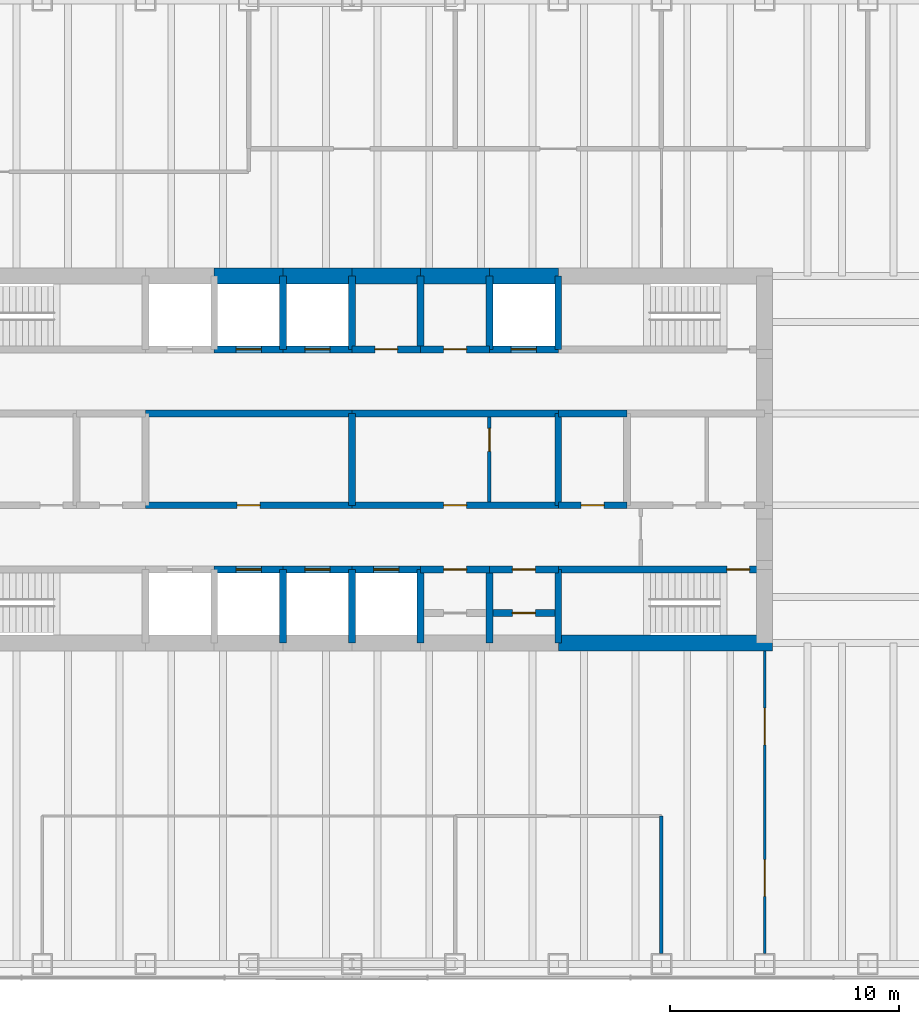
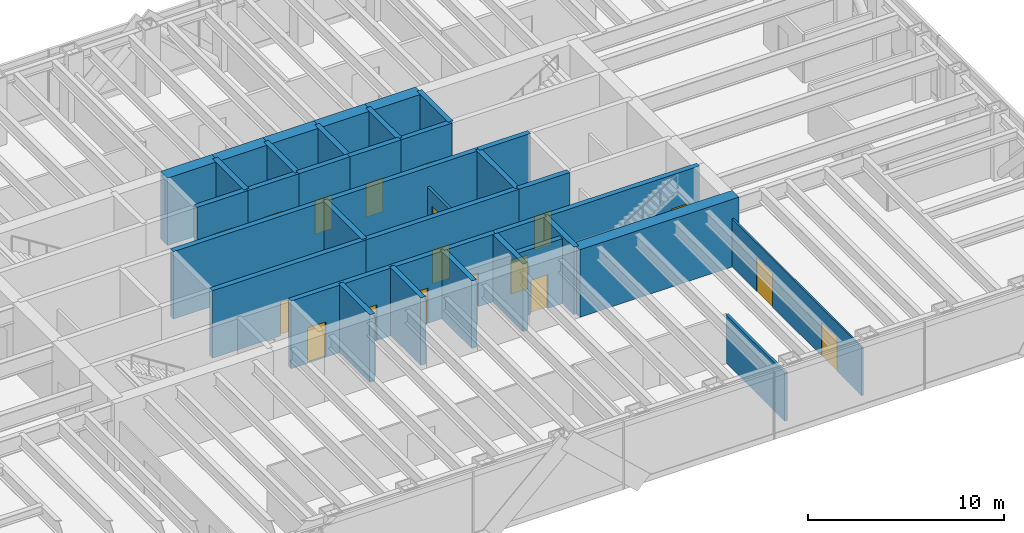
# One storey, part 14 of 17: 39 walls, 18 doors, 18 openings.
"""IFC4 building model written with IfcOpenShell, lengths in metres."""

import ifcopenshell
import ifcopenshell.guid

model = None  # the IFC model being written
_history = None  # IfcOwnerHistory: only IFC2X3 demands one
_inside = {}  # id of a spatial element -> (the spatial element, [elements in it])
_under = {}  # id of a project, library or spatial element -> (it, [spatial elements below it])
_declared = {}  # id of a project -> (the project, [libraries it declares])
_typed = {}  # id of a type object -> (the type object, [elements of that type])
_made_of = {}  # id of a material, layer set ... -> (it, [elements and type objects made of it])


def new_model(schema):
    """Start an empty IFC model of exactly this schema.

    Asked for "IFC4X3", IfcOpenShell would pick the latest addendum, in which some entities
    have other attributes; the version numbers below select the first issue.
    IFC2X3 requires an IfcOwnerHistory on every rooted entity: one is made here for all.
    """
    global model, _history
    if schema == "IFC4X3":
        model = ifcopenshell.file(schema_version=(4, 3, 0, 0))
    else:
        model = ifcopenshell.file(schema=schema)
    _inside.clear()
    _under.clear()
    _declared.clear()
    _typed.clear()
    _made_of.clear()
    _history = None
    if model.schema == "IFC2X3":
        org = make("IfcOrganization", Name="unknown")
        user = make(
            "IfcPersonAndOrganization",
            ThePerson=make("IfcPerson", FamilyName="unknown"),
            TheOrganization=org,
        )
        app = make(
            "IfcApplication",
            ApplicationDeveloper=org,
            Version="unknown",
            ApplicationFullName="unknown",
            ApplicationIdentifier="unknown",
        )
        _history = make(
            "IfcOwnerHistory",
            OwningUser=user,
            OwningApplication=app,
            ChangeAction="ADDED",
            CreationDate=0,
        )
    return model


def make(cls, **values):
    """One entity of the class cls with the attributes given. An attribute that is None is left unset."""
    return model.create_entity(
        cls, **{name: value for name, value in values.items() if value is not None}
    )


def rooted(cls, **values):
    """An entity with a GlobalId (a new one), such as an element, a storey or a relation."""
    return make(cls, GlobalId=ifcopenshell.guid.new(), OwnerHistory=_history, **values)


def si_unit(unit_type, name, prefix=None):
    """IfcSIUnit, for example si_unit("LENGTHUNIT", "METRE", prefix="MILLI")."""
    return make("IfcSIUnit", UnitType=unit_type, Prefix=prefix, Name=name)


def assignment(units):
    """IfcUnitAssignment: the units of a project."""
    return None if units is None else make("IfcUnitAssignment", Units=units)


def point(xyz):
    """IfcCartesianPoint."""
    return None if xyz is None else make("IfcCartesianPoint", Coordinates=xyz)


def direction(xyz):
    """IfcDirection."""
    return None if xyz is None else make("IfcDirection", DirectionRatios=xyz)


def frame(location, z_axis=None, x_axis=None):
    """IfcAxis2Placement3D, a coordinate frame: its origin and axes. An axis left out is left unset."""
    return make(
        "IfcAxis2Placement3D",
        Location=point(location),
        Axis=direction(z_axis),
        RefDirection=direction(x_axis),
    )


def frame_2d(location, x_axis=None):
    """IfcAxis2Placement2D, a coordinate frame in the plane: its origin and x axis."""
    return make(
        "IfcAxis2Placement2D", Location=point(location), RefDirection=direction(x_axis)
    )


def origin():
    """The frame at (0, 0, 0) with its axes left unset."""
    return frame((0.0, 0.0, 0.0))


def place(relative_to, where):
    """IfcLocalPlacement: puts the frame where relative to a parent placement (None: the world)."""
    return make(
        "IfcLocalPlacement", PlacementRelTo=relative_to, RelativePlacement=where
    )


def context(
    kind, dimensions, precision=None, world=None, true_north=None, identifier=None
):
    """IfcGeometricRepresentationContext, for example the 3D "Model" context."""
    return make(
        "IfcGeometricRepresentationContext",
        ContextIdentifier=identifier,
        ContextType=kind,
        CoordinateSpaceDimension=dimensions,
        Precision=precision,
        WorldCoordinateSystem=world,
        TrueNorth=true_north,
    )


def subcontext(parent, identifier, kind, view, scale=None):
    """IfcGeometricRepresentationSubContext, for example "Body" below "Model"."""
    return make(
        "IfcGeometricRepresentationSubContext",
        ContextIdentifier=identifier,
        ContextType=kind,
        ParentContext=parent,
        TargetScale=scale,
        TargetView=view,
    )


def project(units=None, contexts=None):
    """IfcProject with its units and contexts."""
    return rooted(
        "IfcProject",
        Name="project",
        RepresentationContexts=contexts,
        UnitsInContext=assignment(units),
    )


def spatial(cls, under=None, at=None, **own):
    """A site, building, storey or space (cls), placed at a placement, below another one or the project."""
    s = rooted(cls, ObjectPlacement=at, **own)
    if under is not None:
        _under.setdefault(under.id(), (under, []))[1].append(s)
    return s


def profile(cls, at=None, kind="AREA", **sizes):
    """A parametric profile (cls). Its sizes go by their IFC names, for example OverallWidth=200.0."""
    return make(cls, ProfileType=kind, Position=at, **sizes)


def rectangle(**sizes):
    """IfcRectangleProfileDef."""
    return profile("IfcRectangleProfileDef", **sizes)


def extrude(swept, where, along, depth):
    """IfcExtrudedAreaSolid: the profile swept, set in the frame where, extruded along a direction by depth."""
    return make(
        "IfcExtrudedAreaSolid",
        SweptArea=swept,
        Position=where,
        ExtrudedDirection=direction(along),
        Depth=depth,
    )


def shape(context_of_items, identifier, shape_type, items):
    """IfcShapeRepresentation: the items that make up one representation, for example the "Body"."""
    return make(
        "IfcShapeRepresentation",
        ContextOfItems=context_of_items,
        RepresentationIdentifier=identifier,
        RepresentationType=shape_type,
        Items=items,
    )


def material(Name=None, Category=None):
    """IfcMaterial."""
    return make("IfcMaterial", Name=Name, Category=Category)


def layer(
    of_material, thickness, ventilated=None, Name=None, Category=None, Priority=None
):
    """IfcMaterialLayer: one layer of a wall or slab, of a material (None: an air gap)."""
    return make(
        "IfcMaterialLayer",
        Material=of_material,
        LayerThickness=thickness,
        IsVentilated=ventilated,
        Name=Name,
        Category=Category,
        Priority=Priority,
    )


def layer_set(layers, Name=None):
    """IfcMaterialLayerSet."""
    return make("IfcMaterialLayerSet", MaterialLayers=layers, LayerSetName=Name)


def made_of(thing, what):
    """Note that an element or type object is made of a material, layer set ...; save() writes the relation."""
    if what is not None:
        _made_of.setdefault(what.id(), (what, []))[1].append(thing)
    return thing


def type_object(cls, material=None, **own):
    """A type object (cls), such as IfcWallType, which elements share."""
    return made_of(rooted(cls, **own), material)


def element(
    cls,
    number,
    at=None,
    inside=None,
    cuts=None,
    type_object=None,
    material=None,
    context=None,
    identifier="Body",
    shape_type=None,
    held_by="IfcProductDefinitionShape",
    body=None,
    shapes=None,
    **own,
):
    """One element of the class cls, such as IfcWall. Its Tag is "e" and its number.

    at: its placement. inside: the storey or other place that contains it. cuts: it is an
    opening in that element (IfcRelVoidsElement). A single representation is given by context,
    identifier, shape_type and body (its items); several are given by shapes. held_by: the class
    of the entity that holds the representations. save() writes the other relations.
    """
    e = rooted(cls, Tag="e%d" % number, ObjectPlacement=at, **own)
    if body is not None:
        shapes = [shape(context, identifier, shape_type, body)]
    if shapes is not None:
        e.Representation = make(held_by, Representations=shapes)
    if inside is not None:
        _inside.setdefault(inside.id(), (inside, []))[1].append(e)
    if cuts is not None:
        rooted(
            "IfcRelVoidsElement", RelatingBuildingElement=cuts, RelatedOpeningElement=e
        )
    if type_object is not None:
        _typed.setdefault(type_object.id(), (type_object, []))[1].append(e)
    return made_of(e, material)


def fill(opening, filler):
    """IfcRelFillsElement: the door or window that sits in an opening."""
    return rooted(
        "IfcRelFillsElement",
        RelatingOpeningElement=opening,
        RelatedBuildingElement=filler,
    )


def aggregate(whole, parts):
    """IfcRelAggregates: a whole, such as a stair, and the parts it consists of."""
    return rooted("IfcRelAggregates", RelatingObject=whole, RelatedObjects=parts)


def save(model, path):
    """Write the relations noted so far, then the file.

    IfcRelAggregates (storeys below a building ...), IfcRelContainedInSpatialStructure (elements
    in a storey), IfcRelDefinesByType, IfcRelAssociatesMaterial and IfcRelDeclares: one each for
    every whole, place, type object, material and project.
    """
    for whole, parts in _under.values():
        aggregate(whole, parts)
    for where, things in _inside.values():
        rooted(
            "IfcRelContainedInSpatialStructure",
            RelatedElements=things,
            RelatingStructure=where,
        )
    for kind, things in _typed.values():
        rooted("IfcRelDefinesByType", RelatedObjects=things, RelatingType=kind)
    for what, things in _made_of.values():
        rooted("IfcRelAssociatesMaterial", RelatedObjects=things, RelatingMaterial=what)
    for by, libraries in _declared.values():
        rooted("IfcRelDeclares", RelatingContext=by, RelatedDefinitions=libraries)
    model.write(path)


model = new_model("IFC4")

# Units and contexts
model_context = context("Model", 3, precision=1e-05, world=origin(), true_north=direction((0.0, 1.0)))
body_context = subcontext(model_context, "Body", "Model", "MODEL_VIEW")
ifc_project = project(units=[si_unit("LENGTHUNIT", "METRE"), si_unit("AREAUNIT", "SQUARE_METRE"), si_unit("VOLUMEUNIT", "CUBIC_METRE"), si_unit("PLANEANGLEUNIT", "RADIAN"), si_unit("MASSUNIT", "GRAM", prefix="KILO")], contexts=[model_context])

# Site, building, storey
site_placement = place(None, origin())
site = spatial("IfcSite", under=ifc_project, at=site_placement, CompositionType="ELEMENT")
building_placement = place(site_placement, origin())
building = spatial("IfcBuilding", under=site, at=building_placement, Name="Rheinbord Bourse Tower", CompositionType="ELEMENT")
storey_placement = place(building_placement, frame((0.0, 0.0, 300.5)))
storey = spatial("IfcBuildingStorey", under=building, at=storey_placement, Name="L68", CompositionType="ELEMENT", Elevation=300.5)

# Wall, opening, door
ifc_material_1 = material(Name="Concrete C50/60", Category="concrete")
ifc_layer_1 = layer(ifc_material_1, 0.300048828125)
ifc_layer_set_1 = layer_set([ifc_layer_1], Name="CORE INNER WALL 300")
wall_type_1 = type_object("IfcWallType", Name="CORE INNER WALL 300", PredefinedType="SOLIDWALL", material=ifc_layer_set_1)
wall_1_placement = place(storey_placement, frame((30.0, 19.199951171875, 0.0), z_axis=(0.0, 0.0, 1.0), x_axis=(1.0, 0.0, 0.0)))
wall_1 = element("IfcWall", 1, at=wall_1_placement, inside=storey, type_object=wall_type_1, Name="Core wall A3 L68", PredefinedType="SOLIDWALL", context=body_context, shape_type="SweptSolid", body=[
    extrude(rectangle(XDim=3.0, YDim=0.300048828125, at=frame_2d((1.5, 0.0))), origin(), (0.0, 0.0, 1.0), 4.199951171875),
])
opening_1_placement = place(wall_1_placement, frame((0.949951171875, 0.0, 0.0)))
opening_1 = element("IfcOpeningElement", 2, at=opening_1_placement, cuts=wall_1, Name="Opening PD1", PredefinedType="OPENING", context=body_context, shape_type="SweptSolid", body=[
    extrude(rectangle(XDim=1.10009765625, YDim=2.199951171875, at=frame_2d((0.550048828125, 1.10009765625))), frame((0.0, 0.159912109375, 0.0), z_axis=(0.0, -1.0, 0.0), x_axis=(1.0, 0.0, 0.0)), (0.0, 0.0, 1.0), 0.320068359375),
])
ifc_material_2 = material(Name="Steel landing door", Category="steel")
door_type_1 = type_object("IfcDoorType", Name="LIFT LANDING DOOR 1100", OperationType="DOUBLE_DOOR_SLIDING", PredefinedType="USERDEFINED", material=ifc_material_2)
door_1_placement = place(opening_1_placement, origin())
door_1 = element("IfcDoor", 3, at=door_1_placement, inside=storey, type_object=door_type_1, Name="Lift landing door PD1 L68", ObjectType="LIFT LANDING DOOR", OperationType="DOUBLE_DOOR_SLIDING", OverallHeight=2.199951171875, OverallWidth=1.10009765625, PredefinedType="USERDEFINED", context=body_context, shape_type="SweptSolid", body=[
    extrude(rectangle(XDim=1.10009765625, YDim=2.199951171875, at=frame_2d((0.550048828125, 1.10009765625))), frame((0.0, 0.02490234375, 0.0), z_axis=(0.0, -1.0, 0.0), x_axis=(1.0, 0.0, 0.0)), (0.0, 0.0, 1.0), 0.050048828125),
])
fill(opening_1, door_1)

wall_2_placement = place(storey_placement, frame((33.0, 19.199951171875, 0.0), z_axis=(0.0, 0.0, 1.0), x_axis=(1.0, 0.0, 0.0)))
wall_2 = element("IfcWall", 4, at=wall_2_placement, inside=storey, type_object=wall_type_1, Name="Core wall A4 L68", PredefinedType="SOLIDWALL", context=body_context, shape_type="SweptSolid", body=[
    extrude(rectangle(XDim=3.0, YDim=0.300048828125, at=frame_2d((1.5, 0.0))), origin(), (0.0, 0.0, 1.0), 4.199951171875),
])
opening_2_placement = place(wall_2_placement, frame((0.949951171875, 0.0, 0.0)))
opening_2 = element("IfcOpeningElement", 5, at=opening_2_placement, cuts=wall_2, Name="Opening PD2", PredefinedType="OPENING", context=body_context, shape_type="SweptSolid", body=[
    extrude(rectangle(XDim=1.10009765625, YDim=2.199951171875, at=frame_2d((0.550048828125, 1.10009765625))), frame((0.0, 0.159912109375, 0.0), z_axis=(0.0, -1.0, 0.0), x_axis=(1.0, 0.0, 0.0)), (0.0, 0.0, 1.0), 0.320068359375),
])
door_2_placement = place(opening_2_placement, origin())
door_2 = element("IfcDoor", 6, at=door_2_placement, inside=storey, type_object=door_type_1, Name="Lift landing door PD2 L68", ObjectType="LIFT LANDING DOOR", OperationType="DOUBLE_DOOR_SLIDING", OverallHeight=2.199951171875, OverallWidth=1.10009765625, PredefinedType="USERDEFINED", context=body_context, shape_type="SweptSolid", body=[
    extrude(rectangle(XDim=1.10009765625, YDim=2.199951171875, at=frame_2d((0.550048828125, 1.10009765625))), frame((0.0, 0.02490234375, 0.0), z_axis=(0.0, -1.0, 0.0), x_axis=(1.0, 0.0, 0.0)), (0.0, 0.0, 1.0), 0.050048828125),
])
fill(opening_2, door_2)

wall_3_placement = place(storey_placement, frame((36.0, 19.199951171875, 0.0), z_axis=(0.0, 0.0, 1.0), x_axis=(1.0, 0.0, 0.0)))
wall_3 = element("IfcWall", 7, at=wall_3_placement, inside=storey, type_object=wall_type_1, Name="Core wall A5 L68", PredefinedType="SOLIDWALL", context=body_context, shape_type="SweptSolid", body=[
    extrude(rectangle(XDim=3.0, YDim=0.300048828125, at=frame_2d((1.5, 0.0))), origin(), (0.0, 0.0, 1.0), 4.199951171875),
])
opening_3_placement = place(wall_3_placement, frame((0.949951171875, 0.0, 0.0)))
opening_3 = element("IfcOpeningElement", 8, at=opening_3_placement, cuts=wall_3, Name="Opening PD3", PredefinedType="OPENING", context=body_context, shape_type="SweptSolid", body=[
    extrude(rectangle(XDim=1.10009765625, YDim=2.199951171875, at=frame_2d((0.550048828125, 1.10009765625))), frame((0.0, 0.159912109375, 0.0), z_axis=(0.0, -1.0, 0.0), x_axis=(1.0, 0.0, 0.0)), (0.0, 0.0, 1.0), 0.320068359375),
])
door_3_placement = place(opening_3_placement, origin())
door_3 = element("IfcDoor", 9, at=door_3_placement, inside=storey, type_object=door_type_1, Name="Lift landing door PD3 L68", ObjectType="LIFT LANDING DOOR", OperationType="DOUBLE_DOOR_SLIDING", OverallHeight=2.199951171875, OverallWidth=1.10009765625, PredefinedType="USERDEFINED", context=body_context, shape_type="SweptSolid", body=[
    extrude(rectangle(XDim=1.10009765625, YDim=2.199951171875, at=frame_2d((0.550048828125, 1.10009765625))), frame((0.0, 0.02490234375, 0.0), z_axis=(0.0, -1.0, 0.0), x_axis=(1.0, 0.0, 0.0)), (0.0, 0.0, 1.0), 0.050048828125),
])
fill(opening_3, door_3)

wall_4_placement = place(storey_placement, frame((39.0, 19.199951171875, 0.0), z_axis=(0.0, 0.0, 1.0), x_axis=(1.0, 0.0, 0.0)))
wall_4 = element("IfcWall", 10, at=wall_4_placement, inside=storey, type_object=wall_type_1, Name="Core wall A6 L68", PredefinedType="SOLIDWALL", context=body_context, shape_type="SweptSolid", body=[
    extrude(rectangle(XDim=3.0, YDim=0.300048828125, at=frame_2d((1.5, 0.0))), origin(), (0.0, 0.0, 1.0), 4.199951171875),
])
opening_4_placement = place(wall_4_placement, frame((1.0, 0.0, 0.0)))
opening_4 = element("IfcOpeningElement", 11, at=opening_4_placement, cuts=wall_4, Name="Opening 68R8", PredefinedType="OPENING", context=body_context, shape_type="SweptSolid", body=[
    extrude(rectangle(XDim=1.0, YDim=2.10009765625, at=frame_2d((0.5, 1.050048828125))), frame((0.0, 0.159912109375, 0.0), z_axis=(0.0, -1.0, 0.0), x_axis=(1.0, 0.0, 0.0)), (0.0, 0.0, 1.0), 0.320068359375),
])
ifc_material_3 = material(Name="Steel door", Category="steel")
door_type_2 = type_object("IfcDoorType", Name="DOOR 1000 EI30", OperationType="SINGLE_SWING_LEFT", PredefinedType="DOOR", material=ifc_material_3)
door_4_placement = place(opening_4_placement, origin())
door_4 = element("IfcDoor", 12, at=door_4_placement, inside=storey, type_object=door_type_2, Name="Mail room door L68", OperationType="SINGLE_SWING_LEFT", OverallHeight=2.10009765625, OverallWidth=1.0, PredefinedType="DOOR", context=body_context, shape_type="SweptSolid", body=[
    extrude(rectangle(XDim=1.0, YDim=2.10009765625, at=frame_2d((0.5, 1.050048828125))), frame((0.0, 0.02490234375, 0.0), z_axis=(0.0, -1.0, 0.0), x_axis=(1.0, 0.0, 0.0)), (0.0, 0.0, 1.0), 0.050048828125),
])
fill(opening_4, door_4)

wall_5_placement = place(storey_placement, frame((42.0, 19.199951171875, 0.0), z_axis=(0.0, 0.0, 1.0), x_axis=(1.0, 0.0, 0.0)))
wall_5 = element("IfcWall", 13, at=wall_5_placement, inside=storey, type_object=wall_type_1, Name="Core wall A7 L68", PredefinedType="SOLIDWALL", context=body_context, shape_type="SweptSolid", body=[
    extrude(rectangle(XDim=3.0, YDim=0.300048828125, at=frame_2d((1.5, 0.0))), origin(), (0.0, 0.0, 1.0), 4.199951171875),
])
opening_5_placement = place(wall_5_placement, frame((1.0, 0.0, 0.0)))
opening_5 = element("IfcOpeningElement", 14, at=opening_5_placement, cuts=wall_5, Name="Opening 68R9", PredefinedType="OPENING", context=body_context, shape_type="SweptSolid", body=[
    extrude(rectangle(XDim=1.0, YDim=2.10009765625, at=frame_2d((0.5, 1.050048828125))), frame((0.0, 0.159912109375, 0.0), z_axis=(0.0, -1.0, 0.0), x_axis=(1.0, 0.0, 0.0)), (0.0, 0.0, 1.0), 0.320068359375),
])
door_5_placement = place(opening_5_placement, origin())
door_5 = element("IfcDoor", 15, at=door_5_placement, inside=storey, type_object=door_type_2, Name="Stationery store door L68", OperationType="SINGLE_SWING_LEFT", OverallHeight=2.10009765625, OverallWidth=1.0, PredefinedType="DOOR", context=body_context, shape_type="SweptSolid", body=[
    extrude(rectangle(XDim=1.0, YDim=2.10009765625, at=frame_2d((0.5, 1.050048828125))), frame((0.0, 0.02490234375, 0.0), z_axis=(0.0, -1.0, 0.0), x_axis=(1.0, 0.0, 0.0)), (0.0, 0.0, 1.0), 0.050048828125),
])
fill(opening_5, door_5)

wall_6_placement = place(storey_placement, frame((45.0, 19.199951171875, 0.0), z_axis=(0.0, 0.0, 1.0), x_axis=(1.0, 0.0, 0.0)))
wall_6 = element("IfcWall", 16, at=wall_6_placement, inside=storey, type_object=wall_type_1, Name="Core wall A8 L68", PredefinedType="SOLIDWALL", context=body_context, shape_type="SweptSolid", body=[
    extrude(rectangle(XDim=9.0, YDim=0.300048828125, at=frame_2d((4.5, 0.0))), origin(), (0.0, 0.0, 1.0), 4.199951171875),
])
opening_6_placement = place(wall_6_placement, frame((7.35009765625, 0.0, 0.0)))
opening_6 = element("IfcOpeningElement", 17, at=opening_6_placement, cuts=wall_6, Name="Opening 6830", PredefinedType="OPENING", context=body_context, shape_type="SweptSolid", body=[
    extrude(rectangle(XDim=1.0, YDim=2.10009765625, at=frame_2d((0.5, 1.050048828125))), frame((0.0, 0.159912109375, 0.0), z_axis=(0.0, -1.0, 0.0), x_axis=(1.0, 0.0, 0.0)), (0.0, 0.0, 1.0), 0.320068359375),
])
door_6_placement = place(opening_6_placement, origin())
door_6 = element("IfcDoor", 18, at=door_6_placement, inside=storey, type_object=door_type_2, Name="Stair door ST3 L68", OperationType="SINGLE_SWING_RIGHT", OverallHeight=2.10009765625, OverallWidth=1.0, PredefinedType="DOOR", context=body_context, shape_type="SweptSolid", body=[
    extrude(rectangle(XDim=1.0, YDim=2.10009765625, at=frame_2d((0.5, 1.050048828125))), frame((0.0, 0.02490234375, 0.0), z_axis=(0.0, -1.0, 0.0), x_axis=(1.0, 0.0, 0.0)), (0.0, 0.0, 1.0), 0.050048828125),
])
fill(opening_6, door_6)

wall_7_placement = place(storey_placement, frame((30.0, 28.800048828125, 0.0), z_axis=(0.0, 0.0, 1.0), x_axis=(1.0, 0.0, 0.0)))
wall_7 = element("IfcWall", 19, at=wall_7_placement, inside=storey, type_object=wall_type_1, Name="Core wall B3 L68", PredefinedType="SOLIDWALL", context=body_context, shape_type="SweptSolid", body=[
    extrude(rectangle(XDim=3.0, YDim=0.300048828125, at=frame_2d((1.5, 0.0))), origin(), (0.0, 0.0, 1.0), 4.199951171875),
])
opening_7_placement = place(wall_7_placement, frame((0.949951171875, 0.0, 0.0)))
opening_7 = element("IfcOpeningElement", 20, at=opening_7_placement, cuts=wall_7, Name="Opening PD4", PredefinedType="OPENING", context=body_context, shape_type="SweptSolid", body=[
    extrude(rectangle(XDim=1.10009765625, YDim=2.199951171875, at=frame_2d((0.550048828125, 1.10009765625))), frame((0.0, 0.159912109375, 0.0), z_axis=(0.0, -1.0, 0.0), x_axis=(1.0, 0.0, 0.0)), (0.0, 0.0, 1.0), 0.320068359375),
])
door_7_placement = place(opening_7_placement, origin())
door_7 = element("IfcDoor", 21, at=door_7_placement, inside=storey, type_object=door_type_1, Name="Lift landing door PD4 L68", ObjectType="LIFT LANDING DOOR", OperationType="DOUBLE_DOOR_SLIDING", OverallHeight=2.199951171875, OverallWidth=1.10009765625, PredefinedType="USERDEFINED", context=body_context, shape_type="SweptSolid", body=[
    extrude(rectangle(XDim=1.10009765625, YDim=2.199951171875, at=frame_2d((0.550048828125, 1.10009765625))), frame((0.0, 0.02490234375, 0.0), z_axis=(0.0, -1.0, 0.0), x_axis=(1.0, 0.0, 0.0)), (0.0, 0.0, 1.0), 0.050048828125),
])
fill(opening_7, door_7)

wall_8_placement = place(storey_placement, frame((33.0, 28.800048828125, 0.0), z_axis=(0.0, 0.0, 1.0), x_axis=(1.0, 0.0, 0.0)))
wall_8 = element("IfcWall", 22, at=wall_8_placement, inside=storey, type_object=wall_type_1, Name="Core wall B4 L68", PredefinedType="SOLIDWALL", context=body_context, shape_type="SweptSolid", body=[
    extrude(rectangle(XDim=3.0, YDim=0.300048828125, at=frame_2d((1.5, 0.0))), origin(), (0.0, 0.0, 1.0), 4.199951171875),
])
opening_8_placement = place(wall_8_placement, frame((0.949951171875, 0.0, 0.0)))
opening_8 = element("IfcOpeningElement", 23, at=opening_8_placement, cuts=wall_8, Name="Opening PD5", PredefinedType="OPENING", context=body_context, shape_type="SweptSolid", body=[
    extrude(rectangle(XDim=1.10009765625, YDim=2.199951171875, at=frame_2d((0.550048828125, 1.10009765625))), frame((0.0, 0.159912109375, 0.0), z_axis=(0.0, -1.0, 0.0), x_axis=(1.0, 0.0, 0.0)), (0.0, 0.0, 1.0), 0.320068359375),
])
door_8_placement = place(opening_8_placement, origin())
door_8 = element("IfcDoor", 24, at=door_8_placement, inside=storey, type_object=door_type_1, Name="Lift landing door PD5 L68", ObjectType="LIFT LANDING DOOR", OperationType="DOUBLE_DOOR_SLIDING", OverallHeight=2.199951171875, OverallWidth=1.10009765625, PredefinedType="USERDEFINED", context=body_context, shape_type="SweptSolid", body=[
    extrude(rectangle(XDim=1.10009765625, YDim=2.199951171875, at=frame_2d((0.550048828125, 1.10009765625))), frame((0.0, 0.02490234375, 0.0), z_axis=(0.0, -1.0, 0.0), x_axis=(1.0, 0.0, 0.0)), (0.0, 0.0, 1.0), 0.050048828125),
])
fill(opening_8, door_8)

wall_9_placement = place(storey_placement, frame((36.0, 28.800048828125, 0.0), z_axis=(0.0, 0.0, 1.0), x_axis=(1.0, 0.0, 0.0)))
wall_9 = element("IfcWall", 25, at=wall_9_placement, inside=storey, type_object=wall_type_1, Name="Core wall B5 L68", PredefinedType="SOLIDWALL", context=body_context, shape_type="SweptSolid", body=[
    extrude(rectangle(XDim=3.0, YDim=0.300048828125, at=frame_2d((1.5, 0.0))), origin(), (0.0, 0.0, 1.0), 4.199951171875),
])
opening_9_placement = place(wall_9_placement, frame((1.0, 0.0, 0.0)))
opening_9 = element("IfcOpeningElement", 26, at=opening_9_placement, cuts=wall_9, Name="Opening 68R10", PredefinedType="OPENING", context=body_context, shape_type="SweptSolid", body=[
    extrude(rectangle(XDim=1.0, YDim=2.10009765625, at=frame_2d((0.5, 1.050048828125))), frame((0.0, 0.159912109375, 0.0), z_axis=(0.0, -1.0, 0.0), x_axis=(1.0, 0.0, 0.0)), (0.0, 0.0, 1.0), 0.320068359375),
])
door_9_placement = place(opening_9_placement, origin())
door_9 = element("IfcDoor", 27, at=door_9_placement, inside=storey, type_object=door_type_2, Name="Supplies store door L68", OperationType="SINGLE_SWING_LEFT", OverallHeight=2.10009765625, OverallWidth=1.0, PredefinedType="DOOR", context=body_context, shape_type="SweptSolid", body=[
    extrude(rectangle(XDim=1.0, YDim=2.10009765625, at=frame_2d((0.5, 1.050048828125))), frame((0.0, 0.02490234375, 0.0), z_axis=(0.0, -1.0, 0.0), x_axis=(1.0, 0.0, 0.0)), (0.0, 0.0, 1.0), 0.050048828125),
])
fill(opening_9, door_9)

wall_10_placement = place(storey_placement, frame((39.0, 28.800048828125, 0.0), z_axis=(0.0, 0.0, 1.0), x_axis=(1.0, 0.0, 0.0)))
wall_10 = element("IfcWall", 28, at=wall_10_placement, inside=storey, type_object=wall_type_1, Name="Core wall B6 L68", PredefinedType="SOLIDWALL", context=body_context, shape_type="SweptSolid", body=[
    extrude(rectangle(XDim=3.0, YDim=0.300048828125, at=frame_2d((1.5, 0.0))), origin(), (0.0, 0.0, 1.0), 4.199951171875),
])
opening_10_placement = place(wall_10_placement, frame((1.0, 0.0, 0.0)))
opening_10 = element("IfcOpeningElement", 29, at=opening_10_placement, cuts=wall_10, Name="Opening 68R11", PredefinedType="OPENING", context=body_context, shape_type="SweptSolid", body=[
    extrude(rectangle(XDim=1.0, YDim=2.10009765625, at=frame_2d((0.5, 1.050048828125))), frame((0.0, 0.159912109375, 0.0), z_axis=(0.0, -1.0, 0.0), x_axis=(1.0, 0.0, 0.0)), (0.0, 0.0, 1.0), 0.320068359375),
])
door_10_placement = place(opening_10_placement, origin())
door_10 = element("IfcDoor", 30, at=door_10_placement, inside=storey, type_object=door_type_2, Name="Cleaner's store door L68", OperationType="SINGLE_SWING_LEFT", OverallHeight=2.10009765625, OverallWidth=1.0, PredefinedType="DOOR", context=body_context, shape_type="SweptSolid", body=[
    extrude(rectangle(XDim=1.0, YDim=2.10009765625, at=frame_2d((0.5, 1.050048828125))), frame((0.0, 0.02490234375, 0.0), z_axis=(0.0, -1.0, 0.0), x_axis=(1.0, 0.0, 0.0)), (0.0, 0.0, 1.0), 0.050048828125),
])
fill(opening_10, door_10)

wall_11_placement = place(storey_placement, frame((42.0, 28.800048828125, 0.0), z_axis=(0.0, 0.0, 1.0), x_axis=(1.0, 0.0, 0.0)))
wall_11 = element("IfcWall", 31, at=wall_11_placement, inside=storey, type_object=wall_type_1, Name="Core wall B7 L68", PredefinedType="SOLIDWALL", context=body_context, shape_type="SweptSolid", body=[
    extrude(rectangle(XDim=3.0, YDim=0.300048828125, at=frame_2d((1.5, 0.0))), origin(), (0.0, 0.0, 1.0), 4.199951171875),
])
opening_11_placement = place(wall_11_placement, frame((0.949951171875, 0.0, 0.0)))
opening_11 = element("IfcOpeningElement", 32, at=opening_11_placement, cuts=wall_11, Name="Opening FL2", PredefinedType="OPENING", context=body_context, shape_type="SweptSolid", body=[
    extrude(rectangle(XDim=1.10009765625, YDim=2.199951171875, at=frame_2d((0.550048828125, 1.10009765625))), frame((0.0, 0.159912109375, 0.0), z_axis=(0.0, -1.0, 0.0), x_axis=(1.0, 0.0, 0.0)), (0.0, 0.0, 1.0), 0.320068359375),
])
door_11_placement = place(opening_11_placement, origin())
door_11 = element("IfcDoor", 33, at=door_11_placement, inside=storey, type_object=door_type_1, Name="Lift landing door FL2 L68", ObjectType="LIFT LANDING DOOR", OperationType="DOUBLE_DOOR_SLIDING", OverallHeight=2.199951171875, OverallWidth=1.10009765625, PredefinedType="USERDEFINED", context=body_context, shape_type="SweptSolid", body=[
    extrude(rectangle(XDim=1.10009765625, YDim=2.199951171875, at=frame_2d((0.550048828125, 1.10009765625))), frame((0.0, 0.02490234375, 0.0), z_axis=(0.0, -1.0, 0.0), x_axis=(1.0, 0.0, 0.0)), (0.0, 0.0, 1.0), 0.050048828125),
])
fill(opening_11, door_11)

wall_12_placement = place(storey_placement, frame((27.0, 22.0, 0.0), z_axis=(0.0, 0.0, 1.0), x_axis=(1.0, 0.0, 0.0)))
wall_12 = element("IfcWall", 34, at=wall_12_placement, inside=storey, type_object=wall_type_1, Name="Core wall C3 L68", PredefinedType="SOLIDWALL", context=body_context, shape_type="SweptSolid", body=[
    extrude(rectangle(XDim=9.0, YDim=0.300048828125, at=frame_2d((4.5, 0.0))), origin(), (0.0, 0.0, 1.0), 4.199951171875),
])
opening_12_placement = place(wall_12_placement, frame((4.0, 0.0, 0.0)))
opening_12 = element("IfcOpeningElement", 35, at=opening_12_placement, cuts=wall_12, Name="Opening 68R3", PredefinedType="OPENING", context=body_context, shape_type="SweptSolid", body=[
    extrude(rectangle(XDim=1.0, YDim=2.10009765625, at=frame_2d((0.5, 1.050048828125))), frame((0.0, 0.159912109375, 0.0), z_axis=(0.0, -1.0, 0.0), x_axis=(1.0, 0.0, 0.0)), (0.0, 0.0, 1.0), 0.320068359375),
])
door_12_placement = place(opening_12_placement, origin())
door_12 = element("IfcDoor", 36, at=door_12_placement, inside=storey, type_object=door_type_2, Name="Riser door L68", OperationType="SINGLE_SWING_LEFT", OverallHeight=2.10009765625, OverallWidth=1.0, PredefinedType="DOOR", context=body_context, shape_type="SweptSolid", body=[
    extrude(rectangle(XDim=1.0, YDim=2.10009765625, at=frame_2d((0.5, 1.050048828125))), frame((0.0, 0.02490234375, 0.0), z_axis=(0.0, -1.0, 0.0), x_axis=(1.0, 0.0, 0.0)), (0.0, 0.0, 1.0), 0.050048828125),
])
fill(opening_12, door_12)

wall_13_placement = place(storey_placement, frame((36.0, 22.0, 0.0), z_axis=(0.0, 0.0, 1.0), x_axis=(1.0, 0.0, 0.0)))
wall_13 = element("IfcWall", 37, at=wall_13_placement, inside=storey, type_object=wall_type_1, Name="Core wall C4 L68", PredefinedType="SOLIDWALL", context=body_context, shape_type="SweptSolid", body=[
    extrude(rectangle(XDim=9.0, YDim=0.300048828125, at=frame_2d((4.5, 0.0))), origin(), (0.0, 0.0, 1.0), 4.199951171875),
])
opening_13_placement = place(wall_13_placement, frame((4.0, 0.0, 0.0)))
opening_13 = element("IfcOpeningElement", 38, at=opening_13_placement, cuts=wall_13, Name="Opening 68R4", PredefinedType="OPENING", context=body_context, shape_type="SweptSolid", body=[
    extrude(rectangle(XDim=1.0, YDim=2.10009765625, at=frame_2d((0.5, 1.050048828125))), frame((0.0, 0.159912109375, 0.0), z_axis=(0.0, -1.0, 0.0), x_axis=(1.0, 0.0, 0.0)), (0.0, 0.0, 1.0), 0.320068359375),
])
door_13_placement = place(opening_13_placement, origin())
door_13 = element("IfcDoor", 39, at=door_13_placement, inside=storey, type_object=door_type_2, Name="IT room door L68", OperationType="SINGLE_SWING_LEFT", OverallHeight=2.10009765625, OverallWidth=1.0, PredefinedType="DOOR", context=body_context, shape_type="SweptSolid", body=[
    extrude(rectangle(XDim=1.0, YDim=2.10009765625, at=frame_2d((0.5, 1.050048828125))), frame((0.0, 0.02490234375, 0.0), z_axis=(0.0, -1.0, 0.0), x_axis=(1.0, 0.0, 0.0)), (0.0, 0.0, 1.0), 0.050048828125),
])
fill(opening_13, door_13)

wall_14_placement = place(storey_placement, frame((45.0, 22.0, 0.0), z_axis=(0.0, 0.0, 1.0), x_axis=(1.0, 0.0, 0.0)))
wall_14 = element("IfcWall", 40, at=wall_14_placement, inside=storey, type_object=wall_type_1, Name="Core wall C5 L68", PredefinedType="SOLIDWALL", context=body_context, shape_type="SweptSolid", body=[
    extrude(rectangle(XDim=3.0, YDim=0.300048828125, at=frame_2d((1.5, 0.0))), origin(), (0.0, 0.0, 1.0), 4.199951171875),
])
opening_14_placement = place(wall_14_placement, frame((1.0, 0.0, 0.0)))
opening_14 = element("IfcOpeningElement", 41, at=opening_14_placement, cuts=wall_14, Name="Opening 68R5", PredefinedType="OPENING", context=body_context, shape_type="SweptSolid", body=[
    extrude(rectangle(XDim=1.0, YDim=2.10009765625, at=frame_2d((0.5, 1.050048828125))), frame((0.0, 0.159912109375, 0.0), z_axis=(0.0, -1.0, 0.0), x_axis=(1.0, 0.0, 0.0)), (0.0, 0.0, 1.0), 0.320068359375),
])
ifc_material_4 = material(Name="Timber door", Category="wood")
door_type_3 = type_object("IfcDoorType", Name="DOOR 1000 WC", OperationType="SINGLE_SWING_LEFT", PredefinedType="DOOR", material=ifc_material_4)
door_14_placement = place(opening_14_placement, origin())
door_14 = element("IfcDoor", 42, at=door_14_placement, inside=storey, type_object=door_type_3, Name="Accessible WC door L68", OperationType="SINGLE_SWING_LEFT", OverallHeight=2.10009765625, OverallWidth=1.0, PredefinedType="DOOR", context=body_context, shape_type="SweptSolid", body=[
    extrude(rectangle(XDim=1.0, YDim=2.10009765625, at=frame_2d((0.5, 1.050048828125))), frame((0.0, 0.02490234375, 0.0), z_axis=(0.0, -1.0, 0.0), x_axis=(1.0, 0.0, 0.0)), (0.0, 0.0, 1.0), 0.050048828125),
])
fill(opening_14, door_14)

# Walls
for number, where, z_axis, x_axis, name in (
    (43, (27.0, 26.0, 0.0), (0.0, 0.0, 1.0), (1.0, 0.0, 0.0), "Core wall D3 L68"),
    (44, (36.0, 26.0, 0.0), (0.0, 0.0, 1.0), (1.0, 0.0, 0.0), "Core wall D4 L68"),
):
    element("IfcWall", number, at=place(storey_placement, frame(where, z_axis=z_axis, x_axis=x_axis)), inside=storey, type_object=wall_type_1, Name=name, PredefinedType="SOLIDWALL", context=body_context, shape_type="SweptSolid", body=[
        extrude(rectangle(XDim=9.0, YDim=0.300048828125, at=frame_2d((4.5, 0.0))), origin(), (0.0, 0.0, 1.0), 4.199951171875),
    ])
wall_15_placement = place(storey_placement, frame((45.0, 26.0, 0.0), z_axis=(0.0, 0.0, 1.0), x_axis=(1.0, 0.0, 0.0)))
element("IfcWall", 45, at=wall_15_placement, inside=storey, type_object=wall_type_1, Name="Core wall D5 L68", PredefinedType="SOLIDWALL", context=body_context, shape_type="SweptSolid", body=[
    extrude(rectangle(XDim=3.0, YDim=0.300048828125, at=frame_2d((1.5, 0.0))), origin(), (0.0, 0.0, 1.0), 4.199951171875),
])
for number, where, z_axis, x_axis, name in (
    (46, (33.0, 16.0, 0.0), (0.0, 0.0, 1.0), (0.0, 1.0, 0.0), "Core wall SX33 L68"),
    (47, (33.0, 28.800048828125, 0.0), (0.0, 0.0, 1.0), (0.0, 1.0, 0.0), "Core wall NX33 L68"),
    (48, (36.0, 16.0, 0.0), (0.0, 0.0, 1.0), (0.0, 1.0, 0.0), "Core wall SX36 L68"),
    (49, (36.0, 28.800048828125, 0.0), (0.0, 0.0, 1.0), (0.0, 1.0, 0.0), "Core wall NX36 L68"),
    (50, (39.0, 16.0, 0.0), (0.0, 0.0, 1.0), (0.0, 1.0, 0.0), "Core wall SX39 L68"),
    (51, (39.0, 28.800048828125, 0.0), (0.0, 0.0, 1.0), (0.0, 1.0, 0.0), "Core wall NX39 L68"),
    (52, (42.0, 16.0, 0.0), (0.0, 0.0, 1.0), (0.0, 1.0, 0.0), "Core wall SX42 L68"),
    (53, (42.0, 28.800048828125, 0.0), (0.0, 0.0, 1.0), (0.0, 1.0, 0.0), "Core wall NX42 L68"),
    (54, (45.0, 16.0, 0.0), (0.0, 0.0, 1.0), (0.0, 1.0, 0.0), "Core wall SX45 L68"),
    (55, (45.0, 28.800048828125, 0.0), (0.0, 0.0, 1.0), (0.0, 1.0, 0.0), "Core wall NX45 L68"),
):
    element("IfcWall", number, at=place(storey_placement, frame(where, z_axis=z_axis, x_axis=x_axis)), inside=storey, type_object=wall_type_1, Name=name, PredefinedType="SOLIDWALL", context=body_context, shape_type="SweptSolid", body=[
        extrude(rectangle(XDim=3.199951171875, YDim=0.300048828125, at=frame_2d((1.60009765625, 0.0))), origin(), (0.0, 0.0, 1.0), 4.199951171875),
    ])
for number, where, z_axis, x_axis, name in (
    (56, (36.0, 22.0, 0.0), (0.0, 0.0, 1.0), (0.0, 1.0, 0.0), "Core wall MX36 L68"),
    (57, (45.0, 22.0, 0.0), (0.0, 0.0, 1.0), (0.0, 1.0, 0.0), "Core wall MX45 L68"),
):
    element("IfcWall", number, at=place(storey_placement, frame(where, z_axis=z_axis, x_axis=x_axis)), inside=storey, type_object=wall_type_1, Name=name, PredefinedType="SOLIDWALL", context=body_context, shape_type="SweptSolid", body=[
        extrude(rectangle(XDim=4.0, YDim=0.300048828125, at=frame_2d((2.0, 0.0))), origin(), (0.0, 0.0, 1.0), 4.199951171875),
    ])

# Wall, opening, door
wall_16_placement = place(storey_placement, frame((42.14990234375, 17.300048828125, 0.0), z_axis=(0.0, 0.0, 1.0), x_axis=(1.0, 0.0, 0.0)))
wall_16 = element("IfcWall", 58, at=wall_16_placement, inside=storey, type_object=wall_type_1, Name="Core riser wall L68-7", PredefinedType="SOLIDWALL", context=body_context, shape_type="SweptSolid", body=[
    extrude(rectangle(XDim=2.7001953125, YDim=0.300048828125, at=frame_2d((1.35009765625, 0.0))), origin(), (0.0, 0.0, 1.0), 4.0400390625),
])
opening_15_placement = place(wall_16_placement, frame((0.85009765625, 0.0, 0.0)))
opening_15 = element("IfcOpeningElement", 59, at=opening_15_placement, cuts=wall_16, Name="Opening 68R13", PredefinedType="OPENING", context=body_context, shape_type="SweptSolid", body=[
    extrude(rectangle(XDim=1.0, YDim=2.10009765625, at=frame_2d((0.5, 1.050048828125))), frame((0.0, 0.159912109375, 0.0), z_axis=(0.0, -1.0, 0.0), x_axis=(1.0, 0.0, 0.0)), (0.0, 0.0, 1.0), 0.320068359375),
])
door_15_placement = place(opening_15_placement, origin())
door_15 = element("IfcDoor", 60, at=door_15_placement, inside=storey, type_object=door_type_2, Name="Electrical riser door L68", OperationType="SINGLE_SWING_LEFT", OverallHeight=2.10009765625, OverallWidth=1.0, PredefinedType="DOOR", context=body_context, shape_type="SweptSolid", body=[
    extrude(rectangle(XDim=1.0, YDim=2.10009765625, at=frame_2d((0.5, 1.050048828125))), frame((0.0, 0.02490234375, 0.0), z_axis=(0.0, -1.0, 0.0), x_axis=(1.0, 0.0, 0.0)), (0.0, 0.0, 1.0), 0.050048828125),
])
fill(opening_15, door_15)

ifc_material_5 = material(Name="Gypsum board fire partition", Category="gypsum board")
ifc_layer_2 = layer(ifc_material_5, 0.14990234375)
ifc_layer_set_2 = layer_set([ifc_layer_2], Name="CORE PARTITION 150 EI30")
wall_type_2 = type_object("IfcWallType", Name="CORE PARTITION 150 EI30", PredefinedType="PARTITIONING", material=ifc_layer_set_2)
wall_17_placement = place(storey_placement, frame((42.0, 22.14990234375, 0.0), z_axis=(0.0, 0.0, 1.0), x_axis=(0.0, 1.0, 0.0)))
wall_17 = element("IfcWall", 61, at=wall_17_placement, inside=storey, type_object=wall_type_2, Name="Core partition L68-1", PredefinedType="PARTITIONING", context=body_context, shape_type="SweptSolid", body=[
    extrude(rectangle(XDim=3.7001953125, YDim=0.14990234375, at=frame_2d((1.85009765625, 0.0))), origin(), (0.0, 0.0, 1.0), 3.0),
])
opening_16_placement = place(wall_17_placement, frame((2.199951171875, 0.0, 0.0)))
opening_16 = element("IfcOpeningElement", 62, at=opening_16_placement, cuts=wall_17, Name="Opening 68R7", PredefinedType="OPENING", context=body_context, shape_type="SweptSolid", body=[
    extrude(rectangle(XDim=1.0, YDim=2.10009765625, at=frame_2d((0.5, 1.050048828125))), frame((0.0, 0.0849609375, 0.0), z_axis=(0.0, -1.0, 0.0), x_axis=(1.0, 0.0, 0.0)), (0.0, 0.0, 1.0), 0.169921875),
])
door_16_placement = place(opening_16_placement, origin())
door_16 = element("IfcDoor", 63, at=door_16_placement, inside=storey, type_object=door_type_2, Name="Store door L68", OperationType="SINGLE_SWING_RIGHT", OverallHeight=2.10009765625, OverallWidth=1.0, PredefinedType="DOOR", context=body_context, shape_type="SweptSolid", body=[
    extrude(rectangle(XDim=1.0, YDim=2.10009765625, at=frame_2d((0.5, 1.050048828125))), frame((0.0, 0.02490234375, 0.0), z_axis=(0.0, -1.0, 0.0), x_axis=(1.0, 0.0, 0.0)), (0.0, 0.0, 1.0), 0.050048828125),
])
fill(opening_16, door_16)

# Walls
ifc_material_6 = material(Name="Concrete C50/60", Category="concrete")
ifc_layer_3 = layer(ifc_material_6, 0.699951171875)
ifc_layer_set_3 = layer_set([ifc_layer_3], Name="CORE WALL 700")
wall_type_3 = type_object("IfcWallType", Name="CORE WALL 700", PredefinedType="SHEAR", material=ifc_layer_set_3)
wall_18_placement = place(storey_placement, frame((45.0, 16.0, 0.0), z_axis=(0.0, 0.0, 1.0), x_axis=(1.0, 0.0, 0.0)))
element("IfcWall", 64, at=wall_18_placement, inside=storey, type_object=wall_type_3, Name="Core wall S8 L68", PredefinedType="SHEAR", context=body_context, shape_type="SweptSolid", body=[
    extrude(rectangle(XDim=9.35009765625, YDim=0.699951171875, at=frame_2d((4.675048828125, 0.0))), origin(), (0.0, 0.0, 1.0), 4.199951171875),
])
for number, where, z_axis, x_axis, name in (
    (65, (45.0, 32.0, 0.0), (0.0, 0.0, 1.0), (-1.0, 0.0, 0.0), "Core wall N2 L68"),
    (66, (42.0, 32.0, 0.0), (0.0, 0.0, 1.0), (-1.0, 0.0, 0.0), "Core wall N3 L68"),
    (67, (39.0, 32.0, 0.0), (0.0, 0.0, 1.0), (-1.0, 0.0, 0.0), "Core wall N4 L68"),
    (68, (36.0, 32.0, 0.0), (0.0, 0.0, 1.0), (-1.0, 0.0, 0.0), "Core wall N5 L68"),
    (69, (33.0, 32.0, 0.0), (0.0, 0.0, 1.0), (-1.0, 0.0, 0.0), "Core wall N6 L68"),
):
    element("IfcWall", number, at=place(storey_placement, frame(where, z_axis=z_axis, x_axis=x_axis)), inside=storey, type_object=wall_type_3, Name=name, PredefinedType="SHEAR", context=body_context, shape_type="SweptSolid", body=[
        extrude(rectangle(XDim=3.0, YDim=0.699951171875, at=frame_2d((1.5, 0.0))), origin(), (0.0, 0.0, 1.0), 4.199951171875),
    ])

# Wall, openings, doors
ifc_material_7 = material(Name="Toughened laminated glass partition", Category="glass")
ifc_layer_4 = layer(ifc_material_7, 0.10009765625)
ifc_layer_set_4 = layer_set([ifc_layer_4], Name="GLAZED PARTITION 100")
wall_type_4 = type_object("IfcWallType", Name="GLAZED PARTITION 100", PredefinedType="PARTITIONING", material=ifc_layer_set_4)
wall_19_placement = place(storey_placement, frame((54.0, 2.449951171875, 0.0), z_axis=(0.0, 0.0, 1.0), x_axis=(0.0, 1.0, 0.0)))
wall_19 = element("IfcWall", 70, at=wall_19_placement, inside=storey, type_object=wall_type_4, Name="Partition L68-23", PredefinedType="PARTITIONING", context=body_context, shape_type="SweptSolid", body=[
    extrude(rectangle(XDim=13.199951171875, YDim=0.10009765625, at=frame_2d((6.60009765625, 0.0))), origin(), (0.0, 0.0, 1.0), 3.0),
])
opening_17_placement = place(wall_19_placement, frame((2.5, 0.0, 0.0)))
opening_17 = element("IfcOpeningElement", 71, at=opening_17_placement, cuts=wall_19, Name="Opening 68D13", PredefinedType="OPENING", context=body_context, shape_type="SweptSolid", body=[
    extrude(rectangle(XDim=1.60009765625, YDim=2.10009765625, at=frame_2d((0.800048828125, 1.050048828125))), frame((0.0, 0.06005859375, 0.0), z_axis=(0.0, -1.0, 0.0), x_axis=(1.0, 0.0, 0.0)), (0.0, 0.0, 1.0), 0.1201171875),
])
opening_18_placement = place(wall_19_placement, frame((9.10009765625, 0.0, 0.0)))
opening_18 = element("IfcOpeningElement", 72, at=opening_18_placement, cuts=wall_19, Name="Opening 68D14", PredefinedType="OPENING", context=body_context, shape_type="SweptSolid", body=[
    extrude(rectangle(XDim=1.60009765625, YDim=2.10009765625, at=frame_2d((0.800048828125, 1.050048828125))), frame((0.0, 0.06005859375, 0.0), z_axis=(0.0, -1.0, 0.0), x_axis=(1.0, 0.0, 0.0)), (0.0, 0.0, 1.0), 0.1201171875),
])
ifc_material_8 = material(Name="Timber door", Category="wood")
door_type_4 = type_object("IfcDoorType", Name="DOUBLE ROOM DOOR 1600", OperationType="DOUBLE_DOOR_DOUBLE_SWING", PredefinedType="DOOR", material=ifc_material_8)
door_17_placement = place(opening_17_placement, origin())
door_17 = element("IfcDoor", 73, at=door_17_placement, inside=storey, type_object=door_type_4, Name="Open area door L68", OperationType="SINGLE_SWING_LEFT", OverallHeight=2.10009765625, OverallWidth=1.60009765625, PredefinedType="DOOR", context=body_context, shape_type="SweptSolid", body=[
    extrude(rectangle(XDim=1.60009765625, YDim=2.10009765625, at=frame_2d((0.800048828125, 1.050048828125))), frame((0.0, 0.02490234375, 0.0), z_axis=(0.0, -1.0, 0.0), x_axis=(1.0, 0.0, 0.0)), (0.0, 0.0, 1.0), 0.050048828125),
])
fill(opening_17, door_17)
door_18_placement = place(opening_18_placement, origin())
door_18 = element("IfcDoor", 74, at=door_18_placement, inside=storey, type_object=door_type_4, Name="Open area door L68", OperationType="SINGLE_SWING_LEFT", OverallHeight=2.10009765625, OverallWidth=1.60009765625, PredefinedType="DOOR", context=body_context, shape_type="SweptSolid", body=[
    extrude(rectangle(XDim=1.60009765625, YDim=2.10009765625, at=frame_2d((0.800048828125, 1.050048828125))), frame((0.0, 0.02490234375, 0.0), z_axis=(0.0, -1.0, 0.0), x_axis=(1.0, 0.0, 0.0)), (0.0, 0.0, 1.0), 0.050048828125),
])
fill(opening_18, door_18)

# Wall
ifc_material_9 = material(Name="Gypsum board partition", Category="gypsum board")
ifc_layer_5 = layer(ifc_material_9, 0.14990234375)
ifc_layer_set_5 = layer_set([ifc_layer_5], Name="PARTITION 150")
wall_type_5 = type_object("IfcWallType", Name="PARTITION 150", PredefinedType="PARTITIONING", material=ifc_layer_set_5)
wall_20_placement = place(storey_placement, frame((49.5, 2.449951171875, 0.0), z_axis=(0.0, 0.0, 1.0), x_axis=(0.0, 1.0, 0.0)))
element("IfcWall", 75, at=wall_20_placement, inside=storey, type_object=wall_type_5, Name="Partition L68-20", PredefinedType="PARTITIONING", context=body_context, shape_type="SweptSolid", body=[
    extrude(rectangle(XDim=6.0, YDim=0.14990234375, at=frame_2d((3.0, 0.0))), origin(), (0.0, 0.0, 1.0), 3.0),
])

save(model, "model.ifc")
